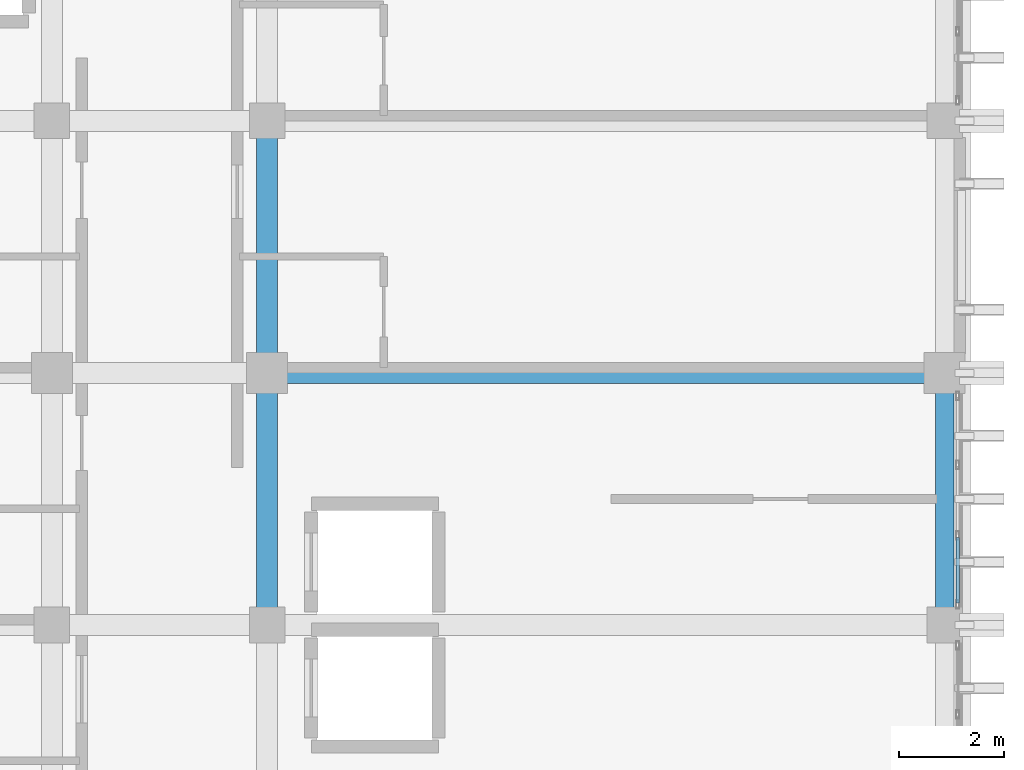
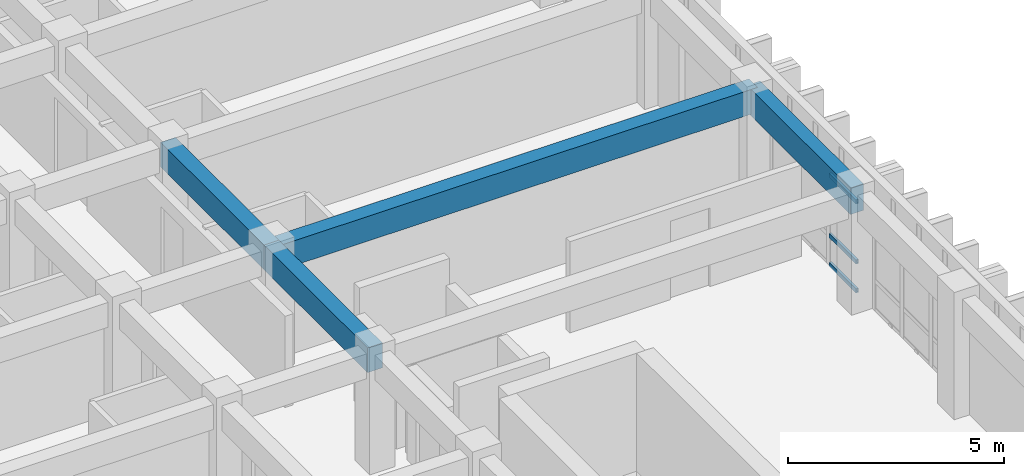
# One storey, part 23 of 68: 4 beams, 3 members, 1 element without a shape of its own.
"""IFC4 building model written with IfcOpenShell, lengths in metres."""

from ifc_helpers import new_model, si_unit, direction, frame, origin, origin_2d, place, context, subcontext, project, spatial, rectangle, hollow_rectangle, extrude, material, layer, layer_set, material_profile, profile_set, type_object, element, aggregate, save


model = new_model("IFC4")

# Units and contexts
model_context = context("Model", 3, precision=1e-05, world=origin(), true_north=direction((0.0, 1.0)))
body_context = subcontext(model_context, "Body", "Model", "MODEL_VIEW")
ifc_project = project(units=[si_unit("LENGTHUNIT", "METRE"), si_unit("AREAUNIT", "SQUARE_METRE"), si_unit("VOLUMEUNIT", "CUBIC_METRE"), si_unit("PLANEANGLEUNIT", "RADIAN"), si_unit("MASSUNIT", "GRAM", prefix="KILO")], contexts=[model_context])

# Site, building, storey
site_placement = place(None, origin())
site = spatial("IfcSite", under=ifc_project, at=site_placement, CompositionType="ELEMENT")
building_placement = place(site_placement, origin())
building = spatial("IfcBuilding", under=site, at=building_placement, Name="Nakhvara Creek Congress Hotel", CompositionType="ELEMENT")
storey_placement = place(building_placement, frame((0.0, 0.0, 24.60009765625)))
storey = spatial("IfcBuildingStorey", under=building, at=storey_placement, Name="L05", CompositionType="ELEMENT", Elevation=24.60009765625)

# Beams
ifc_material_1 = material(Name="Concrete C40/50", Category="concrete")
ifc_material_profile_1 = material_profile(ifc_material_1, rectangle(XDim=0.39990234375, YDim=0.699951171875, at=origin_2d()), Name="RC-BM 400x700", Category="LoadBearing")
ifc_profile_set_1 = profile_set([ifc_material_profile_1], Name="Concrete C40/50")
beam_type_1 = type_object("IfcBeamType", Name="BM-RC-400X700", PredefinedType="BEAM", material=ifc_profile_set_1)
beam_1_placement = place(storey_placement, frame((166.449951171875, 67.199951171875, 2.989990234375), z_axis=(1.0, 0.0, 0.0), x_axis=(0.0, 1.0, 0.0)))
element("IfcBeam", 1, at=beam_1_placement, inside=storey, type_object=beam_type_1, Name="Beam B05-L05-2127", PredefinedType="BEAM", context=body_context, shape_type="SweptSolid", body=[
    extrude(rectangle(XDim=0.39990234375, YDim=0.699951171875, at=origin_2d()), origin(), (0.0, 0.0, 1.0), 12.900146484375),
])
for number, where, z_axis, x_axis, name in (
    (2, (166.449951171875, 62.39990234375, 2.989990234375), (0.0, 1.0, 0.0), (-1.0, 0.0, 0.0), "Beam B05-L05-2128"),
    (3, (166.449951171875, 67.199951171875, 2.989990234375), (0.0, 1.0, 0.0), (-1.0, 0.0, 0.0), "Beam B05-L05-2129"),
):
    element("IfcBeam", number, at=place(storey_placement, frame(where, z_axis=z_axis, x_axis=x_axis)), inside=storey, type_object=beam_type_1, Name=name, PredefinedType="BEAM", context=body_context, shape_type="SweptSolid", body=[
        extrude(rectangle(XDim=0.39990234375, YDim=0.699951171875, at=origin_2d()), origin(), (0.0, 0.0, 1.0), 4.800048828125),
    ])
ifc_material_profile_2 = material_profile(ifc_material_1, rectangle(XDim=0.35009765625, YDim=0.75, at=origin_2d()), Name="RC-SPANDREL 350x750", Category="LoadBearing")
ifc_profile_set_2 = profile_set([ifc_material_profile_2], Name="Concrete C40/50")
beam_type_2 = type_object("IfcBeamType", Name="BM-SPN-350X750", PredefinedType="SPANDREL", material=ifc_profile_set_2)
beam_2_placement = place(storey_placement, frame((179.35009765625, 62.39990234375, 2.96484375), z_axis=(0.0, 1.0, 0.0), x_axis=(-1.0, 0.0, 0.0)))
element("IfcBeam", 4, at=beam_2_placement, inside=storey, type_object=beam_type_2, Name="Beam SP1-L05-2154", PredefinedType="SPANDREL", context=body_context, shape_type="SweptSolid", body=[
    extrude(rectangle(XDim=0.35009765625, YDim=0.75, at=origin_2d()), origin(), (0.0, 0.0, 1.0), 4.800048828125),
])

# Curtain wall, members
ifc_material_2 = material(Name="Bronze-anodised aluminium AW-6063-T6 and double-silver low-E glass", Category="aluminium")
ifc_layer = layer(ifc_material_2, 0.199951171875)
ifc_layer_set = layer_set([ifc_layer], Name="Bronze-anodised aluminium AW-6063-T6 and double-silver low-E glass")
curtain_wall_type = type_object("IfcCurtainWallType", Name="CW-HTL-UNIT", PredefinedType="USERDEFINED", material=ifc_layer_set)
curtain_wall_placement = place(storey_placement, origin())
curtain_wall = element("IfcCurtainWall", 5, at=curtain_wall_placement, inside=storey, type_object=curtain_wall_type, Name="Curtain Wall CW212", ObjectType="UNITISED", PredefinedType="USERDEFINED")
ifc_material_3 = material(Name="Bronze-anodised aluminium AW-6063-T6", Category="aluminium")
ifc_material_profile_3 = material_profile(ifc_material_3, hollow_rectangle(XDim=0.06494140625, YDim=0.1201171875, WallThickness=0.00390625, at=origin_2d()), Name="ALU-TRAN 65x120x4", Category="LoadBearing")
ifc_profile_set_3 = profile_set([ifc_material_profile_3], Name="Bronze-anodised aluminium AW-6063-T6")
member_type = type_object("IfcMemberType", Name="CW-TRAN-120", PredefinedType="USERDEFINED", material=ifc_profile_set_3)
member_1_placement = place(storey_placement, frame((179.60009765625, 64.069091796875, 0.032470703125), z_axis=(0.0, -1.0, 0.0), x_axis=(1.0, 0.0, 0.0)))
member_1 = element("IfcMember", 6, at=member_1_placement, type_object=member_type, Name="CW212 transom 3.1", ObjectType="TRANSOM", PredefinedType="USERDEFINED", context=body_context, shape_type="SweptSolid", body=[
    extrude(hollow_rectangle(XDim=0.06494140625, YDim=0.1201171875, WallThickness=0.00390625, at=origin_2d()), origin(), (0.0, 0.0, 1.0), 1.2490234375),
])
member_2_placement = place(storey_placement, frame((179.60009765625, 64.069091796875, 0.849853515625), z_axis=(0.0, -1.0, 0.0), x_axis=(1.0, 0.0, 0.0)))
member_2 = element("IfcMember", 7, at=member_2_placement, type_object=member_type, Name="CW212 transom 3.2", ObjectType="TRANSOM", PredefinedType="USERDEFINED", context=body_context, shape_type="SweptSolid", body=[
    extrude(hollow_rectangle(XDim=0.06494140625, YDim=0.1201171875, WallThickness=0.00390625, at=origin_2d()), origin(), (0.0, 0.0, 1.0), 1.2490234375),
])
member_3_placement = place(storey_placement, frame((179.60009765625, 64.069091796875, 2.54931640625), z_axis=(0.0, -1.0, 0.0), x_axis=(1.0, 0.0, 0.0)))
member_3 = element("IfcMember", 8, at=member_3_placement, type_object=member_type, Name="CW212 transom 3.3", ObjectType="TRANSOM", PredefinedType="USERDEFINED", context=body_context, shape_type="SweptSolid", body=[
    extrude(hollow_rectangle(XDim=0.06494140625, YDim=0.1201171875, WallThickness=0.00390625, at=origin_2d()), origin(), (0.0, 0.0, 1.0), 1.2490234375),
])
aggregate(curtain_wall, [member_1, member_2, member_3])

save(model, "model.ifc")
